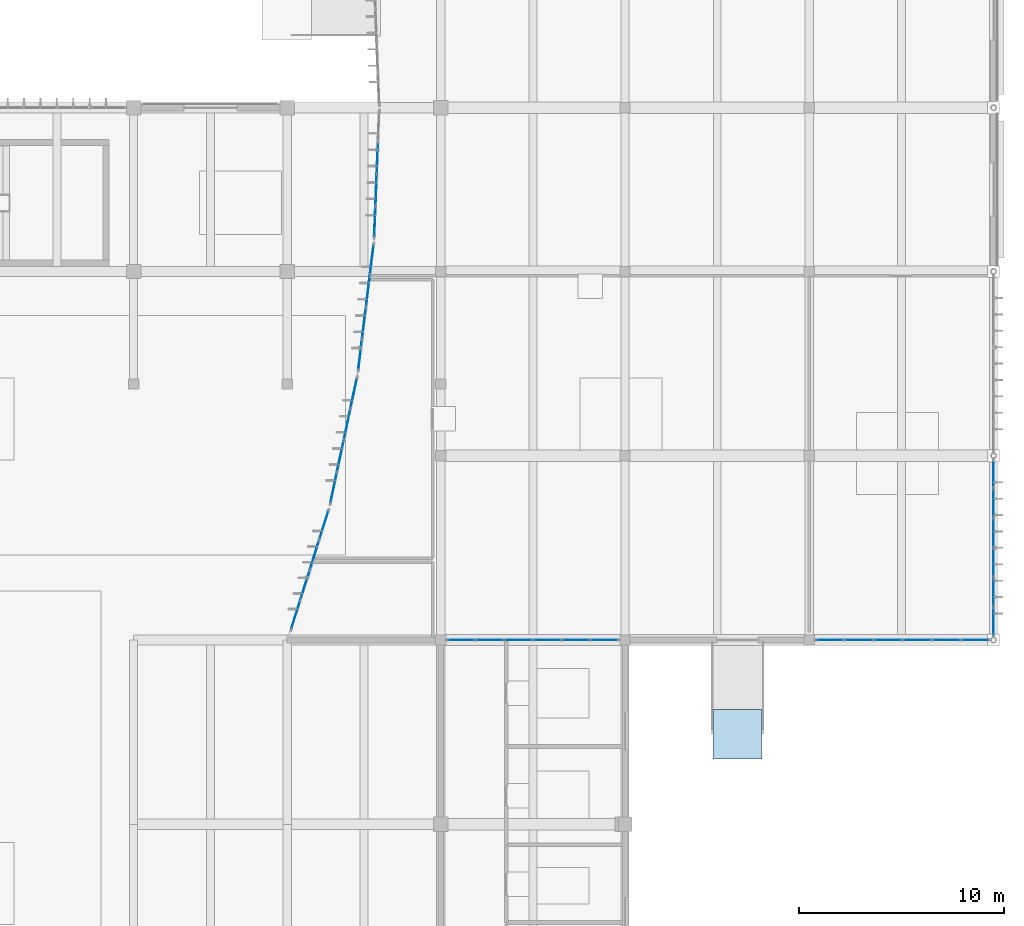
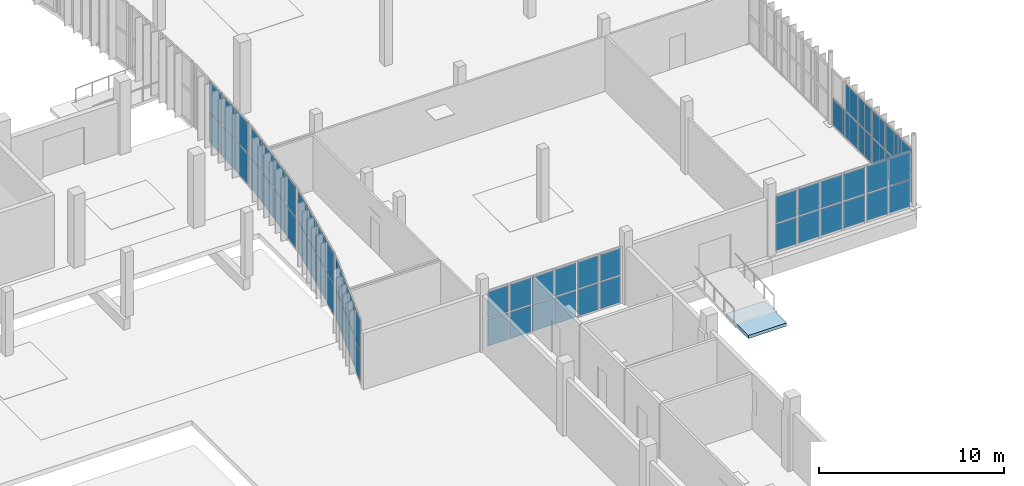
# One storey, part 39 of 72: 65 plates, 1 slab, 7 elements without a shape of their own.
"""IFC4 building model written with IfcOpenShell, lengths in metres."""

import ifcopenshell
import ifcopenshell.guid

model = None  # the IFC model being written
_history = None  # IfcOwnerHistory: only IFC2X3 demands one
_inside = {}  # id of a spatial element -> (the spatial element, [elements in it])
_under = {}  # id of a project, library or spatial element -> (it, [spatial elements below it])
_declared = {}  # id of a project -> (the project, [libraries it declares])
_typed = {}  # id of a type object -> (the type object, [elements of that type])
_made_of = {}  # id of a material, layer set ... -> (it, [elements and type objects made of it])


def new_model(schema):
    """Start an empty IFC model of exactly this schema.

    Asked for "IFC4X3", IfcOpenShell would pick the latest addendum, in which some entities
    have other attributes; the version numbers below select the first issue.
    IFC2X3 requires an IfcOwnerHistory on every rooted entity: one is made here for all.
    """
    global model, _history
    if schema == "IFC4X3":
        model = ifcopenshell.file(schema_version=(4, 3, 0, 0))
    else:
        model = ifcopenshell.file(schema=schema)
    _inside.clear()
    _under.clear()
    _declared.clear()
    _typed.clear()
    _made_of.clear()
    _history = None
    if model.schema == "IFC2X3":
        org = make("IfcOrganization", Name="unknown")
        user = make(
            "IfcPersonAndOrganization",
            ThePerson=make("IfcPerson", FamilyName="unknown"),
            TheOrganization=org,
        )
        app = make(
            "IfcApplication",
            ApplicationDeveloper=org,
            Version="unknown",
            ApplicationFullName="unknown",
            ApplicationIdentifier="unknown",
        )
        _history = make(
            "IfcOwnerHistory",
            OwningUser=user,
            OwningApplication=app,
            ChangeAction="ADDED",
            CreationDate=0,
        )
    return model


def make(cls, **values):
    """One entity of the class cls with the attributes given. An attribute that is None is left unset."""
    return model.create_entity(
        cls, **{name: value for name, value in values.items() if value is not None}
    )


def rooted(cls, **values):
    """An entity with a GlobalId (a new one), such as an element, a storey or a relation."""
    return make(cls, GlobalId=ifcopenshell.guid.new(), OwnerHistory=_history, **values)


def si_unit(unit_type, name, prefix=None):
    """IfcSIUnit, for example si_unit("LENGTHUNIT", "METRE", prefix="MILLI")."""
    return make("IfcSIUnit", UnitType=unit_type, Prefix=prefix, Name=name)


def assignment(units):
    """IfcUnitAssignment: the units of a project."""
    return None if units is None else make("IfcUnitAssignment", Units=units)


def point(xyz):
    """IfcCartesianPoint."""
    return None if xyz is None else make("IfcCartesianPoint", Coordinates=xyz)


def direction(xyz):
    """IfcDirection."""
    return None if xyz is None else make("IfcDirection", DirectionRatios=xyz)


def frame(location, z_axis=None, x_axis=None):
    """IfcAxis2Placement3D, a coordinate frame: its origin and axes. An axis left out is left unset."""
    return make(
        "IfcAxis2Placement3D",
        Location=point(location),
        Axis=direction(z_axis),
        RefDirection=direction(x_axis),
    )


def frame_2d(location, x_axis=None):
    """IfcAxis2Placement2D, a coordinate frame in the plane: its origin and x axis."""
    return make(
        "IfcAxis2Placement2D", Location=point(location), RefDirection=direction(x_axis)
    )


def origin():
    """The frame at (0, 0, 0) with its axes left unset."""
    return frame((0.0, 0.0, 0.0))


def origin_2d():
    """The frame at (0, 0) in the plane with its x axis left unset."""
    return frame_2d((0.0, 0.0))


def place(relative_to, where):
    """IfcLocalPlacement: puts the frame where relative to a parent placement (None: the world)."""
    return make(
        "IfcLocalPlacement", PlacementRelTo=relative_to, RelativePlacement=where
    )


def context(
    kind, dimensions, precision=None, world=None, true_north=None, identifier=None
):
    """IfcGeometricRepresentationContext, for example the 3D "Model" context."""
    return make(
        "IfcGeometricRepresentationContext",
        ContextIdentifier=identifier,
        ContextType=kind,
        CoordinateSpaceDimension=dimensions,
        Precision=precision,
        WorldCoordinateSystem=world,
        TrueNorth=true_north,
    )


def subcontext(parent, identifier, kind, view, scale=None):
    """IfcGeometricRepresentationSubContext, for example "Body" below "Model"."""
    return make(
        "IfcGeometricRepresentationSubContext",
        ContextIdentifier=identifier,
        ContextType=kind,
        ParentContext=parent,
        TargetScale=scale,
        TargetView=view,
    )


def project(units=None, contexts=None):
    """IfcProject with its units and contexts."""
    return rooted(
        "IfcProject",
        Name="project",
        RepresentationContexts=contexts,
        UnitsInContext=assignment(units),
    )


def spatial(cls, under=None, at=None, **own):
    """A site, building, storey or space (cls), placed at a placement, below another one or the project."""
    s = rooted(cls, ObjectPlacement=at, **own)
    if under is not None:
        _under.setdefault(under.id(), (under, []))[1].append(s)
    return s


def polyline(points):
    """IfcPolyline through the points."""
    return make("IfcPolyline", Points=[point(p) for p in points])


def profile(cls, at=None, kind="AREA", **sizes):
    """A parametric profile (cls). Its sizes go by their IFC names, for example OverallWidth=200.0."""
    return make(cls, ProfileType=kind, Position=at, **sizes)


def rectangle(**sizes):
    """IfcRectangleProfileDef."""
    return profile("IfcRectangleProfileDef", **sizes)


def outline(outer, holes=None, kind="AREA"):
    """IfcArbitraryClosedProfileDef: a profile drawn as a closed curve; with holes, ...WithVoids."""
    if holes is None:
        return make("IfcArbitraryClosedProfileDef", ProfileType=kind, OuterCurve=outer)
    return make(
        "IfcArbitraryProfileDefWithVoids",
        ProfileType=kind,
        OuterCurve=outer,
        InnerCurves=holes,
    )


def extrude(swept, where, along, depth):
    """IfcExtrudedAreaSolid: the profile swept, set in the frame where, extruded along a direction by depth."""
    return make(
        "IfcExtrudedAreaSolid",
        SweptArea=swept,
        Position=where,
        ExtrudedDirection=direction(along),
        Depth=depth,
    )


def shape(context_of_items, identifier, shape_type, items):
    """IfcShapeRepresentation: the items that make up one representation, for example the "Body"."""
    return make(
        "IfcShapeRepresentation",
        ContextOfItems=context_of_items,
        RepresentationIdentifier=identifier,
        RepresentationType=shape_type,
        Items=items,
    )


def material(Name=None, Category=None):
    """IfcMaterial."""
    return make("IfcMaterial", Name=Name, Category=Category)


def layer(
    of_material, thickness, ventilated=None, Name=None, Category=None, Priority=None
):
    """IfcMaterialLayer: one layer of a wall or slab, of a material (None: an air gap)."""
    return make(
        "IfcMaterialLayer",
        Material=of_material,
        LayerThickness=thickness,
        IsVentilated=ventilated,
        Name=Name,
        Category=Category,
        Priority=Priority,
    )


def layer_set(layers, Name=None):
    """IfcMaterialLayerSet."""
    return make("IfcMaterialLayerSet", MaterialLayers=layers, LayerSetName=Name)


def made_of(thing, what):
    """Note that an element or type object is made of a material, layer set ...; save() writes the relation."""
    if what is not None:
        _made_of.setdefault(what.id(), (what, []))[1].append(thing)
    return thing


def type_object(cls, material=None, **own):
    """A type object (cls), such as IfcWallType, which elements share."""
    return made_of(rooted(cls, **own), material)


def element(
    cls,
    number,
    at=None,
    inside=None,
    cuts=None,
    type_object=None,
    material=None,
    context=None,
    identifier="Body",
    shape_type=None,
    held_by="IfcProductDefinitionShape",
    body=None,
    shapes=None,
    **own,
):
    """One element of the class cls, such as IfcWall. Its Tag is "e" and its number.

    at: its placement. inside: the storey or other place that contains it. cuts: it is an
    opening in that element (IfcRelVoidsElement). A single representation is given by context,
    identifier, shape_type and body (its items); several are given by shapes. held_by: the class
    of the entity that holds the representations. save() writes the other relations.
    """
    e = rooted(cls, Tag="e%d" % number, ObjectPlacement=at, **own)
    if body is not None:
        shapes = [shape(context, identifier, shape_type, body)]
    if shapes is not None:
        e.Representation = make(held_by, Representations=shapes)
    if inside is not None:
        _inside.setdefault(inside.id(), (inside, []))[1].append(e)
    if cuts is not None:
        rooted(
            "IfcRelVoidsElement", RelatingBuildingElement=cuts, RelatedOpeningElement=e
        )
    if type_object is not None:
        _typed.setdefault(type_object.id(), (type_object, []))[1].append(e)
    return made_of(e, material)


def aggregate(whole, parts):
    """IfcRelAggregates: a whole, such as a stair, and the parts it consists of."""
    return rooted("IfcRelAggregates", RelatingObject=whole, RelatedObjects=parts)


def save(model, path):
    """Write the relations noted so far, then the file.

    IfcRelAggregates (storeys below a building ...), IfcRelContainedInSpatialStructure (elements
    in a storey), IfcRelDefinesByType, IfcRelAssociatesMaterial and IfcRelDeclares: one each for
    every whole, place, type object, material and project.
    """
    for whole, parts in _under.values():
        aggregate(whole, parts)
    for where, things in _inside.values():
        rooted(
            "IfcRelContainedInSpatialStructure",
            RelatedElements=things,
            RelatingStructure=where,
        )
    for kind, things in _typed.values():
        rooted("IfcRelDefinesByType", RelatedObjects=things, RelatingType=kind)
    for what, things in _made_of.values():
        rooted("IfcRelAssociatesMaterial", RelatedObjects=things, RelatingMaterial=what)
    for by, libraries in _declared.values():
        rooted("IfcRelDeclares", RelatingContext=by, RelatedDefinitions=libraries)
    model.write(path)


model = new_model("IFC4")

# Units and contexts
model_context = context("Model", 3, precision=1e-05, world=origin(), true_north=direction((0.0, 1.0)))
body_context = subcontext(model_context, "Body", "Model", "MODEL_VIEW")
ifc_project = project(units=[si_unit("LENGTHUNIT", "METRE"), si_unit("AREAUNIT", "SQUARE_METRE"), si_unit("VOLUMEUNIT", "CUBIC_METRE"), si_unit("PLANEANGLEUNIT", "RADIAN"), si_unit("MASSUNIT", "GRAM", prefix="KILO")], contexts=[model_context])

# Site, building, storey
site_placement = place(None, origin())
site = spatial("IfcSite", under=ifc_project, at=site_placement, CompositionType="ELEMENT")
building_placement = place(site_placement, origin())
building = spatial("IfcBuilding", under=site, at=building_placement, Name="Vourika Railside Aquatics Centre", CompositionType="ELEMENT")
storey_placement = place(building_placement, origin())
storey = spatial("IfcBuildingStorey", under=building, at=storey_placement, Name="L00", CompositionType="ELEMENT", Elevation=0.0)

# Curtain wall, plates
ifc_material_1 = material(Name="Anodized thermally broken aluminium", Category="aluminium")
curtain_wall_type_1 = type_object("IfcCurtainWallType", Name="CW-FOYC0", PredefinedType="NOTDEFINED", material=ifc_material_1)
curtain_wall_1_placement = place(storey_placement, origin())
curtain_wall_1 = element("IfcCurtainWall", 1, at=curtain_wall_1_placement, inside=storey, type_object=curtain_wall_type_1, Name="Curved Courtyard Foyer Curtain Wall L00-1", PredefinedType="NOTDEFINED")
ifc_material_2 = material(Name="Low-E solar-control laminated double glazing", Category="glass")
ifc_layer_1 = layer(ifc_material_2, 0.031982421875, Name="CWP-FOYC0")
ifc_layer_set_1 = layer_set([ifc_layer_1], Name="Low-E solar-control laminated double glazing")
plate_type_1 = type_object("IfcPlateType", Name="CWP-FOYC0", PredefinedType="CURTAIN_PANEL", material=ifc_layer_set_1)
plate_1_placement = place(storey_placement, frame((135.292236328125, 45.607421875, 0.07421875), z_axis=(0.0, 0.0, 1.0), x_axis=(-0.29997424472, -0.953947300696, 0.0)))
plate_1 = element("IfcPlate", 2, at=plate_1_placement, type_object=plate_type_1, Name="CW07 panel 1.1", PredefinedType="CURTAIN_PANEL", context=body_context, shape_type="SweptSolid", body=[
    extrude(rectangle(XDim=1.429931640625, YDim=0.031982421875, at=origin_2d()), origin(), (0.0, 0.0, 1.0), 1.989013671875),
])
plate_2_placement = place(storey_placement, frame((135.292236328125, 45.607421875, 2.13720703125), z_axis=(0.0, 0.0, 1.0), x_axis=(-0.29997424472, -0.953947300696, 0.0)))
plate_2 = element("IfcPlate", 3, at=plate_2_placement, type_object=plate_type_1, Name="CW07 panel 1.2", PredefinedType="CURTAIN_PANEL", context=body_context, shape_type="SweptSolid", body=[
    extrude(rectangle(XDim=1.429931640625, YDim=0.031982421875, at=origin_2d()), origin(), (0.0, 0.0, 1.0), 1.989013671875),
])
plate_3_placement = place(storey_placement, frame((134.835693359375, 44.155029296875, 0.07421875), z_axis=(0.0, 0.0, 1.0), x_axis=(-0.29997424472, -0.953947300696, 0.0)))
plate_3 = element("IfcPlate", 4, at=plate_3_placement, type_object=plate_type_1, Name="CW07 panel 2.1", PredefinedType="CURTAIN_PANEL", context=body_context, shape_type="SweptSolid", body=[
    extrude(rectangle(XDim=1.467041015625, YDim=0.031982421875, at=origin_2d()), origin(), (0.0, 0.0, 1.0), 1.989013671875),
])
plate_4_placement = place(storey_placement, frame((134.835693359375, 44.155029296875, 2.13720703125), z_axis=(0.0, 0.0, 1.0), x_axis=(-0.29997424472, -0.953947300696, 0.0)))
plate_4 = element("IfcPlate", 5, at=plate_4_placement, type_object=plate_type_1, Name="CW07 panel 2.2", PredefinedType="CURTAIN_PANEL", context=body_context, shape_type="SweptSolid", body=[
    extrude(rectangle(XDim=1.467041015625, YDim=0.031982421875, at=origin_2d()), origin(), (0.0, 0.0, 1.0), 1.989013671875),
])
plate_5_placement = place(storey_placement, frame((134.373291015625, 42.68505859375, 0.07421875), z_axis=(0.0, 0.0, 1.0), x_axis=(-0.29997424472, -0.953947300696, 0.0)))
plate_5 = element("IfcPlate", 6, at=plate_5_placement, type_object=plate_type_1, Name="CW07 panel 3.1", PredefinedType="CURTAIN_PANEL", context=body_context, shape_type="SweptSolid", body=[
    extrude(rectangle(XDim=1.467041015625, YDim=0.031982421875, at=origin_2d()), origin(), (0.0, 0.0, 1.0), 1.989013671875),
])
plate_6_placement = place(storey_placement, frame((134.373291015625, 42.68505859375, 2.13720703125), z_axis=(0.0, 0.0, 1.0), x_axis=(-0.29997424472, -0.953947300696, 0.0)))
plate_6 = element("IfcPlate", 7, at=plate_6_placement, type_object=plate_type_1, Name="CW07 panel 3.2", PredefinedType="CURTAIN_PANEL", context=body_context, shape_type="SweptSolid", body=[
    extrude(rectangle(XDim=1.467041015625, YDim=0.031982421875, at=origin_2d()), origin(), (0.0, 0.0, 1.0), 1.989013671875),
])
plate_7_placement = place(storey_placement, frame((133.916748046875, 41.232666015625, 0.07421875), z_axis=(0.0, 0.0, 1.0), x_axis=(-0.29997424472, -0.953947300696, 0.0)))
plate_7 = element("IfcPlate", 8, at=plate_7_placement, type_object=plate_type_1, Name="CW07 panel 4.1", PredefinedType="CURTAIN_PANEL", context=body_context, shape_type="SweptSolid", body=[
    extrude(rectangle(XDim=1.429931640625, YDim=0.031982421875, at=origin_2d()), origin(), (0.0, 0.0, 1.0), 1.989013671875),
])
plate_8_placement = place(storey_placement, frame((133.916748046875, 41.232666015625, 2.13720703125), z_axis=(0.0, 0.0, 1.0), x_axis=(-0.29997424472, -0.953947300696, 0.0)))
plate_8 = element("IfcPlate", 9, at=plate_8_placement, type_object=plate_type_1, Name="CW07 panel 4.2", PredefinedType="CURTAIN_PANEL", context=body_context, shape_type="SweptSolid", body=[
    extrude(rectangle(XDim=1.429931640625, YDim=0.031982421875, at=origin_2d()), origin(), (0.0, 0.0, 1.0), 1.989013671875),
])
aggregate(curtain_wall_1, [plate_1, plate_2, plate_3, plate_4, plate_5, plate_6, plate_7, plate_8])

curtain_wall_2_placement = place(storey_placement, origin())
curtain_wall_2 = element("IfcCurtainWall", 10, at=curtain_wall_2_placement, inside=storey, type_object=curtain_wall_type_1, Name="Curved Courtyard Foyer Curtain Wall L00-2", PredefinedType="NOTDEFINED")
plate_9_placement = place(storey_placement, frame((136.753173828125, 52.064453125, 0.07421875), z_axis=(0.0, 0.0, 1.0), x_axis=(-0.207595418094, -0.978214773139, 0.0)))
plate_9 = element("IfcPlate", 11, at=plate_9_placement, type_object=plate_type_1, Name="CW07 panel 1.1", PredefinedType="CURTAIN_PANEL", context=body_context, shape_type="SweptSolid", body=[
    extrude(rectangle(XDim=1.478515625, YDim=0.031982421875, at=origin_2d()), origin(), (0.0, 0.0, 1.0), 1.989013671875),
])
plate_10_placement = place(storey_placement, frame((136.753173828125, 52.064453125, 2.13720703125), z_axis=(0.0, 0.0, 1.0), x_axis=(-0.207595418094, -0.978214773139, 0.0)))
plate_10 = element("IfcPlate", 12, at=plate_10_placement, type_object=plate_type_1, Name="CW07 panel 1.2", PredefinedType="CURTAIN_PANEL", context=body_context, shape_type="SweptSolid", body=[
    extrude(rectangle(XDim=1.478515625, YDim=0.031982421875, at=origin_2d()), origin(), (0.0, 0.0, 1.0), 1.989013671875),
])
plate_11_placement = place(storey_placement, frame((136.427001953125, 50.527587890625, 0.07421875), z_axis=(0.0, 0.0, 1.0), x_axis=(-0.207595418094, -0.978214773139, 0.0)))
plate_11 = element("IfcPlate", 13, at=plate_11_placement, type_object=plate_type_1, Name="CW07 panel 2.1", PredefinedType="CURTAIN_PANEL", context=body_context, shape_type="SweptSolid", body=[
    extrude(rectangle(XDim=1.515625, YDim=0.031982421875, at=origin_2d()), origin(), (0.0, 0.0, 1.0), 1.989013671875),
])
plate_12_placement = place(storey_placement, frame((136.427001953125, 50.527587890625, 2.13720703125), z_axis=(0.0, 0.0, 1.0), x_axis=(-0.207595418094, -0.978214773139, 0.0)))
plate_12 = element("IfcPlate", 14, at=plate_12_placement, type_object=plate_type_1, Name="CW07 panel 2.2", PredefinedType="CURTAIN_PANEL", context=body_context, shape_type="SweptSolid", body=[
    extrude(rectangle(XDim=1.515625, YDim=0.031982421875, at=origin_2d()), origin(), (0.0, 0.0, 1.0), 1.989013671875),
])
plate_13_placement = place(storey_placement, frame((136.096923828125, 48.972412109375, 0.07421875), z_axis=(0.0, 0.0, 1.0), x_axis=(-0.207595418094, -0.978214773139, 0.0)))
plate_13 = element("IfcPlate", 15, at=plate_13_placement, type_object=plate_type_1, Name="CW07 panel 3.1", PredefinedType="CURTAIN_PANEL", context=body_context, shape_type="SweptSolid", body=[
    extrude(rectangle(XDim=1.515625, YDim=0.031982421875, at=origin_2d()), origin(), (0.0, 0.0, 1.0), 1.989013671875),
])
plate_14_placement = place(storey_placement, frame((136.096923828125, 48.972412109375, 2.13720703125), z_axis=(0.0, 0.0, 1.0), x_axis=(-0.207595418094, -0.978214773139, 0.0)))
plate_14 = element("IfcPlate", 16, at=plate_14_placement, type_object=plate_type_1, Name="CW07 panel 3.2", PredefinedType="CURTAIN_PANEL", context=body_context, shape_type="SweptSolid", body=[
    extrude(rectangle(XDim=1.515625, YDim=0.031982421875, at=origin_2d()), origin(), (0.0, 0.0, 1.0), 1.989013671875),
])
plate_15_placement = place(storey_placement, frame((135.770751953125, 47.435546875, 0.07421875), z_axis=(0.0, 0.0, 1.0), x_axis=(-0.207595418094, -0.978214773139, 0.0)))
plate_15 = element("IfcPlate", 17, at=plate_15_placement, type_object=plate_type_1, Name="CW07 panel 4.1", PredefinedType="CURTAIN_PANEL", context=body_context, shape_type="SweptSolid", body=[
    extrude(rectangle(XDim=1.478515625, YDim=0.031982421875, at=origin_2d()), origin(), (0.0, 0.0, 1.0), 1.989013671875),
])
plate_16_placement = place(storey_placement, frame((135.770751953125, 47.435546875, 2.13720703125), z_axis=(0.0, 0.0, 1.0), x_axis=(-0.207595418094, -0.978214773139, 0.0)))
plate_16 = element("IfcPlate", 18, at=plate_16_placement, type_object=plate_type_1, Name="CW07 panel 4.2", PredefinedType="CURTAIN_PANEL", context=body_context, shape_type="SweptSolid", body=[
    extrude(rectangle(XDim=1.478515625, YDim=0.031982421875, at=origin_2d()), origin(), (0.0, 0.0, 1.0), 1.989013671875),
])
aggregate(curtain_wall_2, [plate_9, plate_10, plate_11, plate_12, plate_13, plate_14, plate_15, plate_16])

curtain_wall_3_placement = place(storey_placement, origin())
curtain_wall_3 = element("IfcCurtainWall", 19, at=curtain_wall_3_placement, inside=storey, type_object=curtain_wall_type_1, Name="Curved Courtyard Foyer Curtain Wall L00-3", PredefinedType="NOTDEFINED")
plate_17_placement = place(storey_placement, frame((137.631591796875, 58.564208984375, 0.07421875), z_axis=(0.0, 0.0, 1.0), x_axis=(-0.121441721361, -0.992598563525, 0.0)))
plate_17 = element("IfcPlate", 20, at=plate_17_placement, type_object=plate_type_1, Name="CW07 panel 1.1", PredefinedType="CURTAIN_PANEL", context=body_context, shape_type="SweptSolid", body=[
    extrude(rectangle(XDim=1.45556640625, YDim=0.031982421875, at=origin_2d()), origin(), (0.0, 0.0, 1.0), 1.989013671875),
])
plate_18_placement = place(storey_placement, frame((137.631591796875, 58.564208984375, 2.13720703125), z_axis=(0.0, 0.0, 1.0), x_axis=(-0.121441721361, -0.992598563525, 0.0)))
plate_18 = element("IfcPlate", 21, at=plate_18_placement, type_object=plate_type_1, Name="CW07 panel 1.2", PredefinedType="CURTAIN_PANEL", context=body_context, shape_type="SweptSolid", body=[
    extrude(rectangle(XDim=1.45556640625, YDim=0.031982421875, at=origin_2d()), origin(), (0.0, 0.0, 1.0), 1.989013671875),
])
plate_19_placement = place(storey_placement, frame((137.443603515625, 57.027587890625, 0.07421875), z_axis=(0.0, 0.0, 1.0), x_axis=(-0.121441721361, -0.992598563525, 0.0)))
plate_19 = element("IfcPlate", 22, at=plate_19_placement, type_object=plate_type_1, Name="CW07 panel 2.1", PredefinedType="CURTAIN_PANEL", context=body_context, shape_type="SweptSolid", body=[
    extrude(rectangle(XDim=1.49267578125, YDim=0.031982421875, at=origin_2d()), origin(), (0.0, 0.0, 1.0), 1.989013671875),
])
plate_20_placement = place(storey_placement, frame((137.443603515625, 57.027587890625, 2.13720703125), z_axis=(0.0, 0.0, 1.0), x_axis=(-0.121441721361, -0.992598563525, 0.0)))
plate_20 = element("IfcPlate", 23, at=plate_20_placement, type_object=plate_type_1, Name="CW07 panel 2.2", PredefinedType="CURTAIN_PANEL", context=body_context, shape_type="SweptSolid", body=[
    extrude(rectangle(XDim=1.49267578125, YDim=0.031982421875, at=origin_2d()), origin(), (0.0, 0.0, 1.0), 1.989013671875),
])
plate_21_placement = place(storey_placement, frame((137.25341796875, 55.472412109375, 0.07421875), z_axis=(0.0, 0.0, 1.0), x_axis=(-0.121441721361, -0.992598563525, 0.0)))
plate_21 = element("IfcPlate", 24, at=plate_21_placement, type_object=plate_type_1, Name="CW07 panel 3.1", PredefinedType="CURTAIN_PANEL", context=body_context, shape_type="SweptSolid", body=[
    extrude(rectangle(XDim=1.49267578125, YDim=0.031982421875, at=origin_2d()), origin(), (0.0, 0.0, 1.0), 1.989013671875),
])
plate_22_placement = place(storey_placement, frame((137.25341796875, 55.472412109375, 2.13720703125), z_axis=(0.0, 0.0, 1.0), x_axis=(-0.121441721361, -0.992598563525, 0.0)))
plate_22 = element("IfcPlate", 25, at=plate_22_placement, type_object=plate_type_1, Name="CW07 panel 3.2", PredefinedType="CURTAIN_PANEL", context=body_context, shape_type="SweptSolid", body=[
    extrude(rectangle(XDim=1.49267578125, YDim=0.031982421875, at=origin_2d()), origin(), (0.0, 0.0, 1.0), 1.989013671875),
])
plate_23_placement = place(storey_placement, frame((137.0654296875, 53.935791015625, 0.07421875), z_axis=(0.0, 0.0, 1.0), x_axis=(-0.121441721361, -0.992598563525, 0.0)))
plate_23 = element("IfcPlate", 26, at=plate_23_placement, type_object=plate_type_1, Name="CW07 panel 4.1", PredefinedType="CURTAIN_PANEL", context=body_context, shape_type="SweptSolid", body=[
    extrude(rectangle(XDim=1.45556640625, YDim=0.031982421875, at=origin_2d()), origin(), (0.0, 0.0, 1.0), 1.989013671875),
])
plate_24_placement = place(storey_placement, frame((137.0654296875, 53.935791015625, 2.13720703125), z_axis=(0.0, 0.0, 1.0), x_axis=(-0.121441721361, -0.992598563525, 0.0)))
plate_24 = element("IfcPlate", 27, at=plate_24_placement, type_object=plate_type_1, Name="CW07 panel 4.2", PredefinedType="CURTAIN_PANEL", context=body_context, shape_type="SweptSolid", body=[
    extrude(rectangle(XDim=1.45556640625, YDim=0.031982421875, at=origin_2d()), origin(), (0.0, 0.0, 1.0), 1.989013671875),
])
aggregate(curtain_wall_3, [plate_17, plate_18, plate_19, plate_20, plate_21, plate_22, plate_23, plate_24])

curtain_wall_4_placement = place(storey_placement, origin())
curtain_wall_4 = element("IfcCurtainWall", 28, at=curtain_wall_4_placement, inside=storey, type_object=curtain_wall_type_1, Name="Curved Courtyard Foyer Curtain Wall L00-4", PredefinedType="NOTDEFINED")
plate_25_placement = place(storey_placement, frame((137.90673828125, 63.527587890625, 0.07421875), z_axis=(0.0, 0.0, 1.0), x_axis=(-0.040000115606, -0.999199675116, 0.0)))
plate_25 = element("IfcPlate", 29, at=plate_25_placement, type_object=plate_type_1, Name="CW07 panel 2.1", PredefinedType="CURTAIN_PANEL", context=body_context, shape_type="SweptSolid", body=[
    extrude(rectangle(XDim=1.482177734375, YDim=0.031982421875, at=origin_2d()), origin(), (0.0, 0.0, 1.0), 1.989013671875),
])
plate_26_placement = place(storey_placement, frame((137.90673828125, 63.527587890625, 2.13720703125), z_axis=(0.0, 0.0, 1.0), x_axis=(-0.040000115606, -0.999199675116, 0.0)))
plate_26 = element("IfcPlate", 30, at=plate_26_placement, type_object=plate_type_1, Name="CW07 panel 2.2", PredefinedType="CURTAIN_PANEL", context=body_context, shape_type="SweptSolid", body=[
    extrude(rectangle(XDim=1.482177734375, YDim=0.031982421875, at=origin_2d()), origin(), (0.0, 0.0, 1.0), 1.989013671875),
])
plate_27_placement = place(storey_placement, frame((137.844482421875, 61.972412109375, 0.07421875), z_axis=(0.0, 0.0, 1.0), x_axis=(-0.040000115606, -0.999199675116, 0.0)))
plate_27 = element("IfcPlate", 31, at=plate_27_placement, type_object=plate_type_1, Name="CW07 panel 3.1", PredefinedType="CURTAIN_PANEL", context=body_context, shape_type="SweptSolid", body=[
    extrude(rectangle(XDim=1.482177734375, YDim=0.031982421875, at=origin_2d()), origin(), (0.0, 0.0, 1.0), 1.989013671875),
])
plate_28_placement = place(storey_placement, frame((137.844482421875, 61.972412109375, 2.13720703125), z_axis=(0.0, 0.0, 1.0), x_axis=(-0.040000115606, -0.999199675116, 0.0)))
plate_28 = element("IfcPlate", 32, at=plate_28_placement, type_object=plate_type_1, Name="CW07 panel 3.2", PredefinedType="CURTAIN_PANEL", context=body_context, shape_type="SweptSolid", body=[
    extrude(rectangle(XDim=1.482177734375, YDim=0.031982421875, at=origin_2d()), origin(), (0.0, 0.0, 1.0), 1.989013671875),
])
plate_29_placement = place(storey_placement, frame((137.782958984375, 60.43603515625, 0.07421875), z_axis=(0.0, 0.0, 1.0), x_axis=(-0.040000115606, -0.999199675116, 0.0)))
plate_29 = element("IfcPlate", 33, at=plate_29_placement, type_object=plate_type_1, Name="CW07 panel 4.1", PredefinedType="CURTAIN_PANEL", context=body_context, shape_type="SweptSolid", body=[
    extrude(rectangle(XDim=1.4453125, YDim=0.031982421875, at=origin_2d()), origin(), (0.0, 0.0, 1.0), 1.989013671875),
])
plate_30_placement = place(storey_placement, frame((137.782958984375, 60.43603515625, 2.13720703125), z_axis=(0.0, 0.0, 1.0), x_axis=(-0.040000115606, -0.999199675116, 0.0)))
plate_30 = element("IfcPlate", 34, at=plate_30_placement, type_object=plate_type_1, Name="CW07 panel 4.2", PredefinedType="CURTAIN_PANEL", context=body_context, shape_type="SweptSolid", body=[
    extrude(rectangle(XDim=1.4453125, YDim=0.031982421875, at=origin_2d()), origin(), (0.0, 0.0, 1.0), 1.989013671875),
])
aggregate(curtain_wall_4, [plate_25, plate_26, plate_27, plate_28, plate_29, plate_30])

curtain_wall_type_2 = type_object("IfcCurtainWallType", Name="CW-FOYE", PredefinedType="NOTDEFINED", material=ifc_material_1)
curtain_wall_5_placement = place(storey_placement, origin())
curtain_wall_5 = element("IfcCurtainWall", 35, at=curtain_wall_5_placement, inside=storey, type_object=curtain_wall_type_2, Name="East Arrival Facade Curtain Wall L00-1", PredefinedType="NOTDEFINED")
ifc_layer_2 = layer(ifc_material_2, 0.031982421875, Name="CWP-FOYE")
ifc_layer_set_2 = layer_set([ifc_layer_2], Name="Low-E solar-control laminated double glazing")
plate_type_2 = type_object("IfcPlateType", Name="CWP-FOYE", PredefinedType="CURTAIN_PANEL", material=ifc_layer_set_2)
plate_31_placement = place(storey_placement, frame((168.0, 40.907470703125, 0.074951171875), z_axis=(0.0, 0.0, 1.0), x_axis=(0.0, 1.0, 0.0)))
plate_31 = element("IfcPlate", 36, at=plate_31_placement, type_object=plate_type_2, Name="CW10 panel 1.1", PredefinedType="CURTAIN_PANEL", context=body_context, shape_type="SweptSolid", body=[
    extrude(rectangle(XDim=1.33203125, YDim=0.031982421875, at=origin_2d()), origin(), (0.0, 0.0, 1.0), 1.75244140625),
])
plate_32_placement = place(storey_placement, frame((168.0, 40.907470703125, 1.902587890625), z_axis=(0.0, 0.0, 1.0), x_axis=(0.0, 1.0, 0.0)))
plate_32 = element("IfcPlate", 37, at=plate_32_placement, type_object=plate_type_2, Name="CW10 panel 1.2", PredefinedType="CURTAIN_PANEL", context=body_context, shape_type="SweptSolid", body=[
    extrude(rectangle(XDim=1.33203125, YDim=0.031982421875, at=origin_2d()), origin(), (0.0, 0.0, 1.0), 1.75244140625),
])
plate_33_placement = place(storey_placement, frame((168.0, 42.333251953125, 0.074951171875), z_axis=(0.0, 0.0, 1.0), x_axis=(0.0, 1.0, 0.0)))
plate_33 = element("IfcPlate", 38, at=plate_33_placement, type_object=plate_type_2, Name="CW10 panel 2.1", PredefinedType="CURTAIN_PANEL", context=body_context, shape_type="SweptSolid", body=[
    extrude(rectangle(XDim=1.369384765625, YDim=0.031982421875, at=origin_2d()), origin(), (0.0, 0.0, 1.0), 1.75244140625),
])
plate_34_placement = place(storey_placement, frame((168.0, 42.333251953125, 1.902587890625), z_axis=(0.0, 0.0, 1.0), x_axis=(0.0, 1.0, 0.0)))
plate_34 = element("IfcPlate", 39, at=plate_34_placement, type_object=plate_type_2, Name="CW10 panel 2.2", PredefinedType="CURTAIN_PANEL", context=body_context, shape_type="SweptSolid", body=[
    extrude(rectangle(XDim=1.369384765625, YDim=0.031982421875, at=origin_2d()), origin(), (0.0, 0.0, 1.0), 1.75244140625),
])
plate_35_placement = place(storey_placement, frame((168.0, 43.77783203125, 0.074951171875), z_axis=(0.0, 0.0, 1.0), x_axis=(0.0, 1.0, 0.0)))
plate_35 = element("IfcPlate", 40, at=plate_35_placement, type_object=plate_type_2, Name="CW10 panel 3.1", PredefinedType="CURTAIN_PANEL", context=body_context, shape_type="SweptSolid", body=[
    extrude(rectangle(XDim=1.369384765625, YDim=0.031982421875, at=origin_2d()), origin(), (0.0, 0.0, 1.0), 1.75244140625),
])
plate_36_placement = place(storey_placement, frame((168.0, 43.77783203125, 1.902587890625), z_axis=(0.0, 0.0, 1.0), x_axis=(0.0, 1.0, 0.0)))
plate_36 = element("IfcPlate", 41, at=plate_36_placement, type_object=plate_type_2, Name="CW10 panel 3.2", PredefinedType="CURTAIN_PANEL", context=body_context, shape_type="SweptSolid", body=[
    extrude(rectangle(XDim=1.369384765625, YDim=0.031982421875, at=origin_2d()), origin(), (0.0, 0.0, 1.0), 1.75244140625),
])
plate_37_placement = place(storey_placement, frame((168.0, 45.22216796875, 0.074951171875), z_axis=(0.0, 0.0, 1.0), x_axis=(0.0, 1.0, 0.0)))
plate_37 = element("IfcPlate", 42, at=plate_37_placement, type_object=plate_type_2, Name="CW10 panel 4.1", PredefinedType="CURTAIN_PANEL", context=body_context, shape_type="SweptSolid", body=[
    extrude(rectangle(XDim=1.369384765625, YDim=0.031982421875, at=origin_2d()), origin(), (0.0, 0.0, 1.0), 1.75244140625),
])
plate_38_placement = place(storey_placement, frame((168.0, 45.22216796875, 1.902587890625), z_axis=(0.0, 0.0, 1.0), x_axis=(0.0, 1.0, 0.0)))
plate_38 = element("IfcPlate", 43, at=plate_38_placement, type_object=plate_type_2, Name="CW10 panel 4.2", PredefinedType="CURTAIN_PANEL", context=body_context, shape_type="SweptSolid", body=[
    extrude(rectangle(XDim=1.369384765625, YDim=0.031982421875, at=origin_2d()), origin(), (0.0, 0.0, 1.0), 1.75244140625),
])
plate_39_placement = place(storey_placement, frame((168.0, 46.666748046875, 0.074951171875), z_axis=(0.0, 0.0, 1.0), x_axis=(0.0, 1.0, 0.0)))
plate_39 = element("IfcPlate", 44, at=plate_39_placement, type_object=plate_type_2, Name="CW10 panel 5.1", PredefinedType="CURTAIN_PANEL", context=body_context, shape_type="SweptSolid", body=[
    extrude(rectangle(XDim=1.369384765625, YDim=0.031982421875, at=origin_2d()), origin(), (0.0, 0.0, 1.0), 1.75244140625),
])
plate_40_placement = place(storey_placement, frame((168.0, 46.666748046875, 1.902587890625), z_axis=(0.0, 0.0, 1.0), x_axis=(0.0, 1.0, 0.0)))
plate_40 = element("IfcPlate", 45, at=plate_40_placement, type_object=plate_type_2, Name="CW10 panel 5.2", PredefinedType="CURTAIN_PANEL", context=body_context, shape_type="SweptSolid", body=[
    extrude(rectangle(XDim=1.369384765625, YDim=0.031982421875, at=origin_2d()), origin(), (0.0, 0.0, 1.0), 1.75244140625),
])
plate_41_placement = place(storey_placement, frame((168.0, 48.092529296875, 0.074951171875), z_axis=(0.0, 0.0, 1.0), x_axis=(0.0, 1.0, 0.0)))
plate_41 = element("IfcPlate", 46, at=plate_41_placement, type_object=plate_type_2, Name="CW10 panel 6.1", PredefinedType="CURTAIN_PANEL", context=body_context, shape_type="SweptSolid", body=[
    extrude(rectangle(XDim=1.33203125, YDim=0.031982421875, at=origin_2d()), origin(), (0.0, 0.0, 1.0), 1.75244140625),
])
aggregate(curtain_wall_5, [plate_31, plate_32, plate_33, plate_34, plate_35, plate_36, plate_37, plate_38, plate_39, plate_40, plate_41])

curtain_wall_type_3 = type_object("IfcCurtainWallType", Name="CW-FOYS", PredefinedType="NOTDEFINED", material=ifc_material_1)
curtain_wall_6_placement = place(storey_placement, origin())
curtain_wall_6 = element("IfcCurtainWall", 47, at=curtain_wall_6_placement, inside=storey, type_object=curtain_wall_type_3, Name="Foyer South Glazed Facade L00-1", PredefinedType="NOTDEFINED")
ifc_layer_3 = layer(ifc_material_2, 0.031982421875, Name="CWP-FOYS")
ifc_layer_set_3 = layer_set([ifc_layer_3], Name="Low-E solar-control laminated double glazing")
plate_type_3 = type_object("IfcPlateType", Name="CWP-FOYS", PredefinedType="CURTAIN_PANEL", material=ifc_layer_set_3)
plate_42_placement = place(storey_placement, frame((142.001220703125, 40.0, 0.07177734375), z_axis=(0.0, 0.0, 1.0), x_axis=(1.0, 0.0, 0.0)))
plate_42 = element("IfcPlate", 48, at=plate_42_placement, type_object=plate_type_3, Name="CW11 panel 1.1", PredefinedType="CURTAIN_PANEL", context=body_context, shape_type="SweptSolid", body=[
    extrude(rectangle(XDim=1.298583984375, YDim=0.031982421875, at=origin_2d()), origin(), (0.0, 0.0, 1.0), 1.757080078125),
])
plate_43_placement = place(storey_placement, frame((142.001220703125, 40.0, 1.90087890625), z_axis=(0.0, 0.0, 1.0), x_axis=(1.0, 0.0, 0.0)))
plate_43 = element("IfcPlate", 49, at=plate_43_placement, type_object=plate_type_3, Name="CW11 panel 1.2", PredefinedType="CURTAIN_PANEL", context=body_context, shape_type="SweptSolid", body=[
    extrude(rectangle(XDim=1.298583984375, YDim=0.031982421875, at=origin_2d()), origin(), (0.0, 0.0, 1.0), 1.757080078125),
])
plate_44_placement = place(storey_placement, frame((143.389892578125, 40.0, 0.07177734375), z_axis=(0.0, 0.0, 1.0), x_axis=(1.0, 0.0, 0.0)))
plate_44 = element("IfcPlate", 50, at=plate_44_placement, type_object=plate_type_3, Name="CW11 panel 2.1", PredefinedType="CURTAIN_PANEL", context=body_context, shape_type="SweptSolid", body=[
    extrude(rectangle(XDim=1.334716796875, YDim=0.031982421875, at=origin_2d()), origin(), (0.0, 0.0, 1.0), 1.757080078125),
])
plate_45_placement = place(storey_placement, frame((143.389892578125, 40.0, 1.90087890625), z_axis=(0.0, 0.0, 1.0), x_axis=(1.0, 0.0, 0.0)))
plate_45 = element("IfcPlate", 51, at=plate_45_placement, type_object=plate_type_3, Name="CW11 panel 2.2", PredefinedType="CURTAIN_PANEL", context=body_context, shape_type="SweptSolid", body=[
    extrude(rectangle(XDim=1.334716796875, YDim=0.031982421875, at=origin_2d()), origin(), (0.0, 0.0, 1.0), 1.757080078125),
])
plate_46_placement = place(storey_placement, frame((144.796630859375, 40.0, 0.07177734375), z_axis=(0.0, 0.0, 1.0), x_axis=(1.0, 0.0, 0.0)))
plate_46 = element("IfcPlate", 52, at=plate_46_placement, type_object=plate_type_3, Name="CW11 panel 3.1", PredefinedType="CURTAIN_PANEL", context=body_context, shape_type="SweptSolid", body=[
    extrude(rectangle(XDim=1.334716796875, YDim=0.031982421875, at=origin_2d()), origin(), (0.0, 0.0, 1.0), 1.757080078125),
])
plate_47_placement = place(storey_placement, frame((144.796630859375, 40.0, 1.90087890625), z_axis=(0.0, 0.0, 1.0), x_axis=(1.0, 0.0, 0.0)))
plate_47 = element("IfcPlate", 53, at=plate_47_placement, type_object=plate_type_3, Name="CW11 panel 3.2", PredefinedType="CURTAIN_PANEL", context=body_context, shape_type="SweptSolid", body=[
    extrude(rectangle(XDim=1.334716796875, YDim=0.031982421875, at=origin_2d()), origin(), (0.0, 0.0, 1.0), 1.757080078125),
])
plate_48_placement = place(storey_placement, frame((146.203369140625, 40.0, 0.07177734375), z_axis=(0.0, 0.0, 1.0), x_axis=(1.0, 0.0, 0.0)))
plate_48 = element("IfcPlate", 54, at=plate_48_placement, type_object=plate_type_3, Name="CW11 panel 4.1", PredefinedType="CURTAIN_PANEL", context=body_context, shape_type="SweptSolid", body=[
    extrude(rectangle(XDim=1.334716796875, YDim=0.031982421875, at=origin_2d()), origin(), (0.0, 0.0, 1.0), 1.757080078125),
])
plate_49_placement = place(storey_placement, frame((146.203369140625, 40.0, 1.90087890625), z_axis=(0.0, 0.0, 1.0), x_axis=(1.0, 0.0, 0.0)))
plate_49 = element("IfcPlate", 55, at=plate_49_placement, type_object=plate_type_3, Name="CW11 panel 4.2", PredefinedType="CURTAIN_PANEL", context=body_context, shape_type="SweptSolid", body=[
    extrude(rectangle(XDim=1.334716796875, YDim=0.031982421875, at=origin_2d()), origin(), (0.0, 0.0, 1.0), 1.757080078125),
])
plate_50_placement = place(storey_placement, frame((147.610107421875, 40.0, 0.07177734375), z_axis=(0.0, 0.0, 1.0), x_axis=(1.0, 0.0, 0.0)))
plate_50 = element("IfcPlate", 56, at=plate_50_placement, type_object=plate_type_3, Name="CW11 panel 5.1", PredefinedType="CURTAIN_PANEL", context=body_context, shape_type="SweptSolid", body=[
    extrude(rectangle(XDim=1.334716796875, YDim=0.031982421875, at=origin_2d()), origin(), (0.0, 0.0, 1.0), 1.757080078125),
])
plate_51_placement = place(storey_placement, frame((147.610107421875, 40.0, 1.90087890625), z_axis=(0.0, 0.0, 1.0), x_axis=(1.0, 0.0, 0.0)))
plate_51 = element("IfcPlate", 57, at=plate_51_placement, type_object=plate_type_3, Name="CW11 panel 5.2", PredefinedType="CURTAIN_PANEL", context=body_context, shape_type="SweptSolid", body=[
    extrude(rectangle(XDim=1.334716796875, YDim=0.031982421875, at=origin_2d()), origin(), (0.0, 0.0, 1.0), 1.757080078125),
])
plate_52_placement = place(storey_placement, frame((148.998779296875, 40.0, 0.07177734375), z_axis=(0.0, 0.0, 1.0), x_axis=(1.0, 0.0, 0.0)))
plate_52 = element("IfcPlate", 58, at=plate_52_placement, type_object=plate_type_3, Name="CW11 panel 6.1", PredefinedType="CURTAIN_PANEL", context=body_context, shape_type="SweptSolid", body=[
    extrude(rectangle(XDim=1.298583984375, YDim=0.031982421875, at=origin_2d()), origin(), (0.0, 0.0, 1.0), 1.757080078125),
])
plate_53_placement = place(storey_placement, frame((148.998779296875, 40.0, 1.90087890625), z_axis=(0.0, 0.0, 1.0), x_axis=(1.0, 0.0, 0.0)))
plate_53 = element("IfcPlate", 59, at=plate_53_placement, type_object=plate_type_3, Name="CW11 panel 6.2", PredefinedType="CURTAIN_PANEL", context=body_context, shape_type="SweptSolid", body=[
    extrude(rectangle(XDim=1.298583984375, YDim=0.031982421875, at=origin_2d()), origin(), (0.0, 0.0, 1.0), 1.757080078125),
])
aggregate(curtain_wall_6, [plate_42, plate_43, plate_44, plate_45, plate_46, plate_47, plate_48, plate_49, plate_50, plate_51, plate_52, plate_53])

curtain_wall_7_placement = place(storey_placement, origin())
curtain_wall_7 = element("IfcCurtainWall", 60, at=curtain_wall_7_placement, inside=storey, type_object=curtain_wall_type_3, Name="Foyer South Glazed Facade L00-3", PredefinedType="NOTDEFINED")
plate_54_placement = place(storey_placement, frame((160.0107421875, 40.0, 0.07177734375), z_axis=(0.0, 0.0, 1.0), x_axis=(1.0, 0.0, 0.0)))
plate_54 = element("IfcPlate", 61, at=plate_54_placement, type_object=plate_type_3, Name="CW11 panel 1.1", PredefinedType="CURTAIN_PANEL", context=body_context, shape_type="SweptSolid", body=[
    extrude(rectangle(XDim=1.317626953125, YDim=0.031982421875, at=origin_2d()), origin(), (0.0, 0.0, 1.0), 1.757080078125),
])
plate_55_placement = place(storey_placement, frame((160.0107421875, 40.0, 1.90087890625), z_axis=(0.0, 0.0, 1.0), x_axis=(1.0, 0.0, 0.0)))
plate_55 = element("IfcPlate", 62, at=plate_55_placement, type_object=plate_type_3, Name="CW11 panel 1.2", PredefinedType="CURTAIN_PANEL", context=body_context, shape_type="SweptSolid", body=[
    extrude(rectangle(XDim=1.317626953125, YDim=0.031982421875, at=origin_2d()), origin(), (0.0, 0.0, 1.0), 1.757080078125),
])
plate_56_placement = place(storey_placement, frame((161.41845703125, 40.0, 0.07177734375), z_axis=(0.0, 0.0, 1.0), x_axis=(1.0, 0.0, 0.0)))
plate_56 = element("IfcPlate", 63, at=plate_56_placement, type_object=plate_type_3, Name="CW11 panel 2.1", PredefinedType="CURTAIN_PANEL", context=body_context, shape_type="SweptSolid", body=[
    extrude(rectangle(XDim=1.353515625, YDim=0.031982421875, at=origin_2d()), origin(), (0.0, 0.0, 1.0), 1.757080078125),
])
plate_57_placement = place(storey_placement, frame((161.41845703125, 40.0, 1.90087890625), z_axis=(0.0, 0.0, 1.0), x_axis=(1.0, 0.0, 0.0)))
plate_57 = element("IfcPlate", 64, at=plate_57_placement, type_object=plate_type_3, Name="CW11 panel 2.2", PredefinedType="CURTAIN_PANEL", context=body_context, shape_type="SweptSolid", body=[
    extrude(rectangle(XDim=1.353515625, YDim=0.031982421875, at=origin_2d()), origin(), (0.0, 0.0, 1.0), 1.757080078125),
])
plate_58_placement = place(storey_placement, frame((162.843994140625, 40.0, 0.07177734375), z_axis=(0.0, 0.0, 1.0), x_axis=(1.0, 0.0, 0.0)))
plate_58 = element("IfcPlate", 65, at=plate_58_placement, type_object=plate_type_3, Name="CW11 panel 3.1", PredefinedType="CURTAIN_PANEL", context=body_context, shape_type="SweptSolid", body=[
    extrude(rectangle(XDim=1.353515625, YDim=0.031982421875, at=origin_2d()), origin(), (0.0, 0.0, 1.0), 1.757080078125),
])
plate_59_placement = place(storey_placement, frame((162.843994140625, 40.0, 1.90087890625), z_axis=(0.0, 0.0, 1.0), x_axis=(1.0, 0.0, 0.0)))
plate_59 = element("IfcPlate", 66, at=plate_59_placement, type_object=plate_type_3, Name="CW11 panel 3.2", PredefinedType="CURTAIN_PANEL", context=body_context, shape_type="SweptSolid", body=[
    extrude(rectangle(XDim=1.353515625, YDim=0.031982421875, at=origin_2d()), origin(), (0.0, 0.0, 1.0), 1.757080078125),
])
plate_60_placement = place(storey_placement, frame((164.26953125, 40.0, 0.07177734375), z_axis=(0.0, 0.0, 1.0), x_axis=(1.0, 0.0, 0.0)))
plate_60 = element("IfcPlate", 67, at=plate_60_placement, type_object=plate_type_3, Name="CW11 panel 4.1", PredefinedType="CURTAIN_PANEL", context=body_context, shape_type="SweptSolid", body=[
    extrude(rectangle(XDim=1.353515625, YDim=0.031982421875, at=origin_2d()), origin(), (0.0, 0.0, 1.0), 1.757080078125),
])
plate_61_placement = place(storey_placement, frame((164.26953125, 40.0, 1.90087890625), z_axis=(0.0, 0.0, 1.0), x_axis=(1.0, 0.0, 0.0)))
plate_61 = element("IfcPlate", 68, at=plate_61_placement, type_object=plate_type_3, Name="CW11 panel 4.2", PredefinedType="CURTAIN_PANEL", context=body_context, shape_type="SweptSolid", body=[
    extrude(rectangle(XDim=1.353515625, YDim=0.031982421875, at=origin_2d()), origin(), (0.0, 0.0, 1.0), 1.757080078125),
])
plate_62_placement = place(storey_placement, frame((165.695068359375, 40.0, 0.07177734375), z_axis=(0.0, 0.0, 1.0), x_axis=(1.0, 0.0, 0.0)))
plate_62 = element("IfcPlate", 69, at=plate_62_placement, type_object=plate_type_3, Name="CW11 panel 5.1", PredefinedType="CURTAIN_PANEL", context=body_context, shape_type="SweptSolid", body=[
    extrude(rectangle(XDim=1.353515625, YDim=0.031982421875, at=origin_2d()), origin(), (0.0, 0.0, 1.0), 1.757080078125),
])
plate_63_placement = place(storey_placement, frame((165.695068359375, 40.0, 1.90087890625), z_axis=(0.0, 0.0, 1.0), x_axis=(1.0, 0.0, 0.0)))
plate_63 = element("IfcPlate", 70, at=plate_63_placement, type_object=plate_type_3, Name="CW11 panel 5.2", PredefinedType="CURTAIN_PANEL", context=body_context, shape_type="SweptSolid", body=[
    extrude(rectangle(XDim=1.353515625, YDim=0.031982421875, at=origin_2d()), origin(), (0.0, 0.0, 1.0), 1.757080078125),
])
plate_64_placement = place(storey_placement, frame((167.102783203125, 40.0, 0.07177734375), z_axis=(0.0, 0.0, 1.0), x_axis=(1.0, 0.0, 0.0)))
plate_64 = element("IfcPlate", 71, at=plate_64_placement, type_object=plate_type_3, Name="CW11 panel 6.1", PredefinedType="CURTAIN_PANEL", context=body_context, shape_type="SweptSolid", body=[
    extrude(rectangle(XDim=1.317626953125, YDim=0.031982421875, at=origin_2d()), origin(), (0.0, 0.0, 1.0), 1.757080078125),
])
plate_65_placement = place(storey_placement, frame((167.102783203125, 40.0, 1.90087890625), z_axis=(0.0, 0.0, 1.0), x_axis=(1.0, 0.0, 0.0)))
plate_65 = element("IfcPlate", 72, at=plate_65_placement, type_object=plate_type_3, Name="CW11 panel 6.2", PredefinedType="CURTAIN_PANEL", context=body_context, shape_type="SweptSolid", body=[
    extrude(rectangle(XDim=1.317626953125, YDim=0.031982421875, at=origin_2d()), origin(), (0.0, 0.0, 1.0), 1.757080078125),
])
aggregate(curtain_wall_7, [plate_54, plate_55, plate_56, plate_57, plate_58, plate_59, plate_60, plate_61, plate_62, plate_63, plate_64, plate_65])

# Slab
ifc_material_3 = material(Name="Concrete C35/45", Category="concrete")
ifc_layer_4 = layer(ifc_material_3, 0.2099609375, Name="SLB-ACCPAD-210")
ifc_layer_set_4 = layer_set([ifc_layer_4], Name="Concrete C35/45")
slab_type = type_object("IfcSlabType", Name="SLB-ACCPAD-210", PredefinedType="FLOOR", material=ifc_layer_set_4)
slab_placement = place(storey_placement, frame((0.0, 0.0, -0.4599609375)))
element("IfcSlab", 73, at=slab_placement, inside=storey, type_object=slab_type, Name="East Arrival Forecourt Accessible Ramp AR1 Lower Landing Apron", PredefinedType="FLOOR", context=body_context, shape_type="SweptSolid", body=[
    extrude(outline(polyline([(154.300048828125, 34.199951171875), (156.699951171875, 34.199951171875), (156.699951171875, 36.60009765625), (154.300048828125, 36.60009765625), (154.300048828125, 34.199951171875)])), origin(), (0.0, 0.0, 1.0), 0.2099609375),
])

save(model, "model.ifc")
